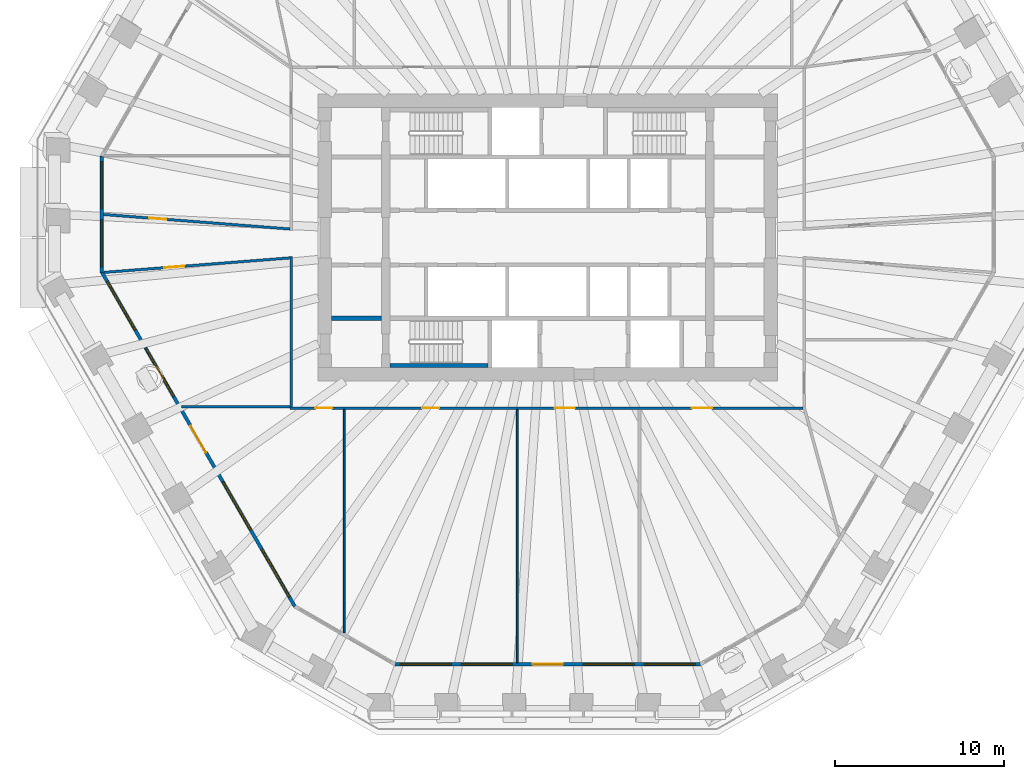
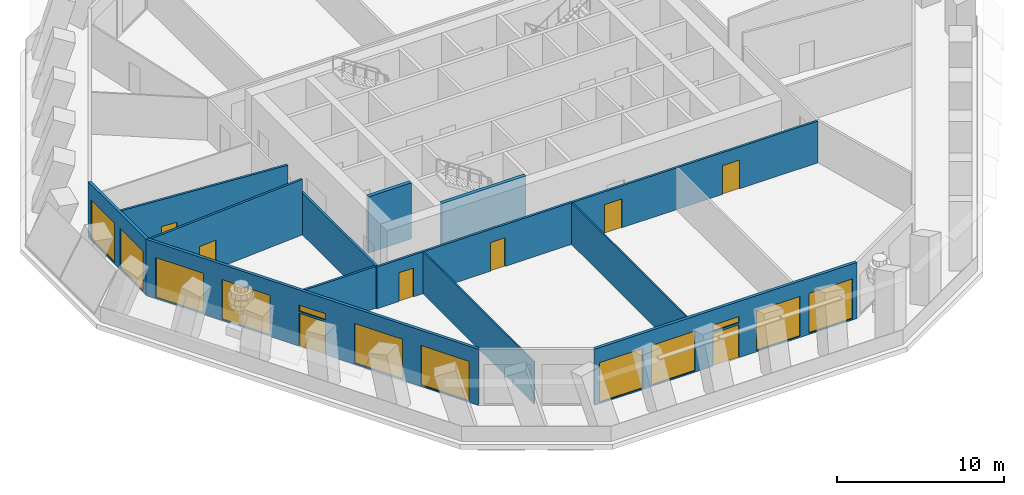
# One storey, part 3 of 12: 12 walls, 12 windows, 8 doors, 20 openings.
"""IFC4 building model written with IfcOpenShell, lengths in metres."""

from ifc_helpers import new_model, si_unit, direction, frame, frame_2d, origin, place, context, subcontext, project, spatial, polyline, rectangle, outline, extrude, material, layer, layer_set, type_object, element, fill, save


model = new_model("IFC4")

# Units and contexts
model_context = context("Model", 3, precision=1e-05, world=origin(), true_north=direction((0.0, 1.0)))
body_context = subcontext(model_context, "Body", "Model", "MODEL_VIEW")
ifc_project = project(units=[si_unit("LENGTHUNIT", "METRE"), si_unit("AREAUNIT", "SQUARE_METRE"), si_unit("VOLUMEUNIT", "CUBIC_METRE"), si_unit("PLANEANGLEUNIT", "RADIAN"), si_unit("MASSUNIT", "GRAM", prefix="KILO")], contexts=[model_context])

# Site, building, storey
site_placement = place(None, origin())
site = spatial("IfcSite", under=ifc_project, at=site_placement, CompositionType="ELEMENT")
building_placement = place(site_placement, origin())
building = spatial("IfcBuilding", under=site, at=building_placement, Name="Frailejon Research Tower", CompositionType="ELEMENT")
storey_placement = place(building_placement, frame((0.0, 0.0, 135.199951171875)))
storey = spatial("IfcBuildingStorey", under=building, at=storey_placement, Name="L29", CompositionType="ELEMENT", Elevation=135.199951171875)

# Wall, opening, door
ifc_material_1 = material(Name="Gypsum board and masonry partition", Category="masonry")
ifc_layer_1 = layer(ifc_material_1, 0.14990234375)
ifc_layer_set_1 = layer_set([ifc_layer_1], Name="Corridor wall EI 60, gypsum on steel studs 150")
wall_type_1 = type_object("IfcWallType", Name="Corridor wall EI 60, gypsum on steel studs 150", PredefinedType="PARTITIONING", material=ifc_layer_set_1)
wall_1_placement = place(storey_placement, frame((-26.31103515625, 1.3671875, 0.0), z_axis=(0.0, 0.0, 1.0), x_axis=(0.996973369859, -0.077743808706, 0.0)))
wall_1 = element("IfcWall", 1, at=wall_1_placement, inside=storey, type_object=wall_type_1, Name="T:IW:L29:001", PredefinedType="PARTITIONING", context=body_context, shape_type="SweptSolid", body=[
    extrude(rectangle(XDim=11.069580078125, YDim=0.14990234375, at=frame_2d((5.53466796875, 0.0))), origin(), (0.0, 0.0, 1.0), 4.050048828125),
])
opening_1_placement = place(wall_1_placement, frame((2.711181640625, 0.0, 0.0)))
opening_1 = element("IfcOpeningElement", 2, at=opening_1_placement, cuts=wall_1, Name="Opening D1687", PredefinedType="OPENING", context=body_context, shape_type="SweptSolid", body=[
    extrude(rectangle(XDim=1.0, YDim=2.10009765625, at=frame_2d((0.5, 1.050048828125))), frame((0.0, 0.0849609375, 0.0), z_axis=(0.0, -1.0, 0.0), x_axis=(1.0, 0.0, 0.0)), (0.0, 0.0, 1.0), 0.169921875),
])
ifc_material_2 = material(Name="Timber door leaf", Category="wood")
door_type_1 = type_object("IfcDoorType", Name="Door single leaf, timber, steel frame 1000", OperationType="NOTDEFINED", PredefinedType="DOOR", material=ifc_material_2)
door_1_placement = place(opening_1_placement, origin())
door_1 = element("IfcDoor", 3, at=door_1_placement, inside=storey, type_object=door_type_1, Name="D1687", OperationType="SINGLE_SWING_LEFT", OverallHeight=2.10009765625, OverallWidth=1.0, PredefinedType="DOOR", context=body_context, shape_type="SweptSolid", body=[
    extrude(rectangle(XDim=1.0, YDim=2.10009765625, at=frame_2d((0.5, 1.050048828125))), frame((0.0, 0.02490234375, 0.0), z_axis=(0.0, -1.0, 0.0), x_axis=(1.0, 0.0, 0.0)), (0.0, 0.0, 1.0), 0.050048828125),
])
fill(opening_1, door_1)

wall_2_placement = place(storey_placement, frame((-26.290283203125, -2.064208984375, 0.0), z_axis=(0.0, 0.0, 1.0), x_axis=(0.99697229372, 0.077757607695, 0.0)))
wall_2 = element("IfcWall", 4, at=wall_2_placement, inside=storey, type_object=wall_type_1, Name="T:IW:L29:002", PredefinedType="PARTITIONING", context=body_context, shape_type="SweptSolid", body=[
    extrude(rectangle(XDim=11.048828125, YDim=0.14990234375, at=frame_2d((5.5244140625, 0.0))), origin(), (0.0, 0.0, 1.0), 4.050048828125),
])
opening_2_placement = place(wall_2_placement, frame((3.578369140625, 0.0, 0.0)))
opening_2 = element("IfcOpeningElement", 5, at=opening_2_placement, cuts=wall_2, Name="Opening D1688", PredefinedType="OPENING", context=body_context, shape_type="SweptSolid", body=[
    extrude(rectangle(XDim=1.199951171875, YDim=2.10009765625, at=frame_2d((0.60009765625, 1.050048828125))), frame((0.0, 0.0849609375, 0.0), z_axis=(0.0, -1.0, 0.0), x_axis=(1.0, 0.0, 0.0)), (0.0, 0.0, 1.0), 0.169921875),
])
ifc_material_3 = material(Name="Timber door leaf", Category="wood")
door_type_2 = type_object("IfcDoorType", Name="Door laboratory, timber, vision panel 1200", OperationType="NOTDEFINED", PredefinedType="DOOR", material=ifc_material_3)
door_2_placement = place(opening_2_placement, origin())
door_2 = element("IfcDoor", 6, at=door_2_placement, inside=storey, type_object=door_type_2, Name="D1688", OperationType="DOUBLE_DOOR_SINGLE_SWING", OverallHeight=2.10009765625, OverallWidth=1.199951171875, PredefinedType="DOOR", context=body_context, shape_type="SweptSolid", body=[
    extrude(rectangle(XDim=1.199951171875, YDim=2.10009765625, at=frame_2d((0.60009765625, 1.050048828125))), frame((0.0, 0.02490234375, 0.0), z_axis=(0.0, -1.0, 0.0), x_axis=(1.0, 0.0, 0.0)), (0.0, 0.0, 1.0), 0.050048828125),
])
fill(opening_2, door_2)

# Wall
wall_3_placement = place(storey_placement, frame((-15.199951171875, -10.02490234375, 0.0), z_axis=(0.0, 0.0, 1.0), x_axis=(0.0, 1.0, 0.0)))
element("IfcWall", 7, at=wall_3_placement, inside=storey, type_object=wall_type_1, Name="T:IW:L29:006", PredefinedType="PARTITIONING", context=body_context, shape_type="SweptSolid", body=[
    extrude(rectangle(XDim=8.900634765625, YDim=0.14990234375, at=frame_2d((4.4501953125, 0.0))), origin(), (0.0, 0.0, 1.0), 3.050048828125),
])

# Wall, openings, doors
wall_4_placement = place(storey_placement, frame((-15.27490234375, -10.10009765625, 0.0), z_axis=(0.0, 0.0, 1.0), x_axis=(1.0, 0.0, 0.0)))
wall_4 = element("IfcWall", 8, at=wall_4_placement, inside=storey, type_object=wall_type_1, Name="T:IW:L29:008", PredefinedType="PARTITIONING", context=body_context, shape_type="SweptSolid", body=[
    extrude(rectangle(XDim=30.39990234375, YDim=0.14990234375, at=frame_2d((15.199951171875, 0.0))), origin(), (0.0, 0.0, 1.0), 3.050048828125),
])
opening_3_placement = place(wall_4_placement, frame((1.50634765625, 0.0, 0.0)))
opening_3 = element("IfcOpeningElement", 9, at=opening_3_placement, cuts=wall_4, Name="Opening D1689", PredefinedType="OPENING", context=body_context, shape_type="SweptSolid", body=[
    extrude(rectangle(XDim=1.0, YDim=2.10009765625, at=frame_2d((0.5, 1.050048828125))), frame((0.0, 0.0849609375, 0.0), z_axis=(0.0, -1.0, 0.0), x_axis=(1.0, 0.0, 0.0)), (0.0, 0.0, 1.0), 0.169921875),
])
opening_4_placement = place(wall_4_placement, frame((7.840087890625, 0.0, 0.0)))
opening_4 = element("IfcOpeningElement", 10, at=opening_4_placement, cuts=wall_4, Name="Opening D1690", PredefinedType="OPENING", context=body_context, shape_type="SweptSolid", body=[
    extrude(rectangle(XDim=1.0, YDim=2.10009765625, at=frame_2d((0.5, 1.050048828125))), frame((0.0, 0.0849609375, 0.0), z_axis=(0.0, -1.0, 0.0), x_axis=(1.0, 0.0, 0.0)), (0.0, 0.0, 1.0), 0.169921875),
])
opening_5_placement = place(wall_4_placement, frame((15.6845703125, 0.0, 0.0)))
opening_5 = element("IfcOpeningElement", 11, at=opening_5_placement, cuts=wall_4, Name="Opening D1691", PredefinedType="OPENING", context=body_context, shape_type="SweptSolid", body=[
    extrude(rectangle(XDim=1.199951171875, YDim=2.10009765625, at=frame_2d((0.60009765625, 1.050048828125))), frame((0.0, 0.0849609375, 0.0), z_axis=(0.0, -1.0, 0.0), x_axis=(1.0, 0.0, 0.0)), (0.0, 0.0, 1.0), 0.169921875),
])
opening_6_placement = place(wall_4_placement, frame((23.8125, 0.0, 0.0)))
opening_6 = element("IfcOpeningElement", 12, at=opening_6_placement, cuts=wall_4, Name="Opening D1692", PredefinedType="OPENING", context=body_context, shape_type="SweptSolid", body=[
    extrude(rectangle(XDim=1.199951171875, YDim=2.10009765625, at=frame_2d((0.60009765625, 1.050048828125))), frame((0.0, 0.0849609375, 0.0), z_axis=(0.0, -1.0, 0.0), x_axis=(1.0, 0.0, 0.0)), (0.0, 0.0, 1.0), 0.169921875),
])
door_3_placement = place(opening_6_placement, origin())
door_3 = element("IfcDoor", 13, at=door_3_placement, inside=storey, type_object=door_type_2, Name="D1692", OperationType="DOUBLE_DOOR_SINGLE_SWING", OverallHeight=2.10009765625, OverallWidth=1.199951171875, PredefinedType="DOOR", context=body_context, shape_type="SweptSolid", body=[
    extrude(rectangle(XDim=1.199951171875, YDim=2.10009765625, at=frame_2d((0.60009765625, 1.050048828125))), frame((0.0, 0.02490234375, 0.0), z_axis=(0.0, -1.0, 0.0), x_axis=(1.0, 0.0, 0.0)), (0.0, 0.0, 1.0), 0.050048828125),
])
fill(opening_6, door_3)
door_4_placement = place(opening_3_placement, origin())
door_4 = element("IfcDoor", 14, at=door_4_placement, inside=storey, type_object=door_type_1, Name="D1689", OperationType="SINGLE_SWING_RIGHT", OverallHeight=2.10009765625, OverallWidth=1.0, PredefinedType="DOOR", context=body_context, shape_type="SweptSolid", body=[
    extrude(rectangle(XDim=1.0, YDim=2.10009765625, at=frame_2d((0.5, 1.050048828125))), frame((0.0, 0.02490234375, 0.0), z_axis=(0.0, -1.0, 0.0), x_axis=(1.0, 0.0, 0.0)), (0.0, 0.0, 1.0), 0.050048828125),
])
fill(opening_3, door_4)
door_5_placement = place(opening_4_placement, origin())
door_5 = element("IfcDoor", 15, at=door_5_placement, inside=storey, type_object=door_type_1, Name="D1690", OperationType="SINGLE_SWING_LEFT", OverallHeight=2.10009765625, OverallWidth=1.0, PredefinedType="DOOR", context=body_context, shape_type="SweptSolid", body=[
    extrude(rectangle(XDim=1.0, YDim=2.10009765625, at=frame_2d((0.5, 1.050048828125))), frame((0.0, 0.02490234375, 0.0), z_axis=(0.0, -1.0, 0.0), x_axis=(1.0, 0.0, 0.0)), (0.0, 0.0, 1.0), 0.050048828125),
])
fill(opening_4, door_5)
ifc_material_4 = material(Name="Timber door leaf", Category="wood")
door_type_3 = type_object("IfcDoorType", Name="Door single leaf, timber, steel frame 1200", OperationType="NOTDEFINED", PredefinedType="DOOR", material=ifc_material_4)
door_6_placement = place(opening_5_placement, origin())
door_6 = element("IfcDoor", 16, at=door_6_placement, inside=storey, type_object=door_type_3, Name="D1691", OperationType="DOUBLE_DOOR_SINGLE_SWING", OverallHeight=2.10009765625, OverallWidth=1.199951171875, PredefinedType="DOOR", context=body_context, shape_type="SweptSolid", body=[
    extrude(rectangle(XDim=1.199951171875, YDim=2.10009765625, at=frame_2d((0.60009765625, 1.050048828125))), frame((0.0, 0.02490234375, 0.0), z_axis=(0.0, -1.0, 0.0), x_axis=(1.0, 0.0, 0.0)), (0.0, 0.0, 1.0), 0.050048828125),
])
fill(opening_5, door_6)

# Walls
ifc_material_5 = material(Name="Gypsum board and masonry partition", Category="masonry")
ifc_layer_2 = layer(ifc_material_5, 0.14990234375)
ifc_layer_set_2 = layer_set([ifc_layer_2], Name="Laboratory partition, blockwork 150")
wall_type_2 = type_object("IfcWallType", Name="Laboratory partition, blockwork 150", PredefinedType="PARTITIONING", material=ifc_layer_set_2)
wall_5_placement = place(storey_placement, frame((-21.698974609375, -10.016357421875, 0.0), z_axis=(0.0, 0.0, 1.0), x_axis=(1.0, 0.0, 0.0)))
element("IfcWall", 17, at=wall_5_placement, inside=storey, type_object=wall_type_2, Name="T:IW:L29:015", PredefinedType="PARTITIONING", context=body_context, shape_type="SweptSolid", body=[
    extrude(rectangle(XDim=6.424072265625, YDim=0.14990234375, at=frame_2d((3.2119140625, 0.0))), origin(), (0.0, 0.0, 1.0), 3.050048828125),
])
ifc_material_6 = material(Name="Gypsum board and masonry partition", Category="masonry")
ifc_layer_3 = layer(ifc_material_6, 0.10009765625)
ifc_layer_set_3 = layer_set([ifc_layer_3], Name="Partition, gypsum on steel studs 100")
wall_type_3 = type_object("IfcWallType", Name="Partition, gypsum on steel studs 100", PredefinedType="PARTITIONING", material=ifc_layer_set_3)
wall_6_placement = place(storey_placement, frame((-12.05810546875, -23.419921875, 0.0), z_axis=(0.0, 0.0, 1.0), x_axis=(0.0, 1.0, 0.0)))
element("IfcWall", 18, at=wall_6_placement, inside=storey, type_object=wall_type_3, Name="T:IW:L29:023", PredefinedType="PARTITIONING", context=body_context, shape_type="SweptSolid", body=[
    extrude(rectangle(XDim=13.244873046875, YDim=0.10009765625, at=frame_2d((6.62255859375, 0.0))), origin(), (0.0, 0.0, 1.0), 3.050048828125),
])
wall_7_placement = place(storey_placement, frame((-1.8115234375, -25.182861328125, 0.0), z_axis=(0.0, 0.0, 1.0), x_axis=(0.0, 1.0, 0.0)))
element("IfcWall", 19, at=wall_7_placement, inside=storey, type_object=wall_type_3, Name="T:IW:L29:024", PredefinedType="PARTITIONING", context=body_context, shape_type="SweptSolid", body=[
    extrude(rectangle(XDim=15.0078125, YDim=0.10009765625, at=frame_2d((7.50390625, 0.0))), origin(), (0.0, 0.0, 1.0), 3.050048828125),
])
ifc_material_7 = material(Name="Concrete C60/75", Category="concrete")
ifc_layer_4 = layer(ifc_material_7, 0.25)
ifc_layer_set_4 = layer_set([ifc_layer_4], Name="Shaft wall 250 C60/75")
wall_type_4 = type_object("IfcWallType", Name="Shaft wall 250 C60/75", PredefinedType="SOLIDWALL", material=ifc_layer_set_4)
wall_8_placement = place(storey_placement, frame((-12.800048828125, -4.77490234375, 0.0), z_axis=(0.0, 0.0, 1.0), x_axis=(1.0, 0.0, 0.0)))
element("IfcWall", 20, at=wall_8_placement, inside=storey, type_object=wall_type_4, Name="Shaft wall", PredefinedType="SOLIDWALL", context=body_context, shape_type="SweptSolid", body=[
    extrude(rectangle(XDim=2.949951171875, YDim=0.25, at=frame_2d((1.47509765625, 0.0))), origin(), (0.0, 0.0, 1.0), 4.10009765625),
])
wall_9_placement = place(storey_placement, frame((-9.35009765625, -7.574951171875, 0.0), z_axis=(0.0, 0.0, 1.0), x_axis=(1.0, 0.0, 0.0)))
element("IfcWall", 21, at=wall_9_placement, inside=storey, type_object=wall_type_4, Name="Shaft wall", PredefinedType="SOLIDWALL", context=body_context, shape_type="SweptSolid", body=[
    extrude(rectangle(XDim=5.800048828125, YDim=0.25, at=frame_2d((2.89990234375, 0.0))), origin(), (0.0, 0.0, 1.0), 4.10009765625),
])

# Wall, openings, windows
ifc_material_8 = material(Name="Concrete C40/50 precast window wall panel", Category="concrete")
ifc_layer_5 = layer(ifc_material_8, 0.199951171875)
ifc_layer_set_5 = layer_set([ifc_layer_5], Name="Window wall 200")
wall_type_5 = type_object("IfcWallType", Name="Window wall 200", PredefinedType="SOLIDWALL", material=ifc_layer_set_5)
wall_10_placement = place(storey_placement, frame((-26.4111328125, 4.820068359375, 0.0), z_axis=(0.0, 0.0, 1.0), x_axis=(0.0, -1.0, 0.0)))
wall_10 = element("IfcWall", 22, at=wall_10_placement, inside=storey, type_object=wall_type_5, Name="Exterior wall L29", PredefinedType="SOLIDWALL", context=body_context, shape_type="SweptSolid", body=[
    extrude(outline(polyline([(-0.02685546875, -0.10009765625), (1.1279296875, -0.10009765625), (2.28271484375, -0.10009765625), (3.4375, -0.10009765625), (4.592041015625, -0.10009765625), (5.746826171875, -0.10009765625), (6.901611328125, -0.10009765625), (6.847900390625, 0.10009765625), (5.7109375, 0.10009765625), (4.57421875, 0.10009765625), (3.4375, 0.10009765625), (2.300537109375, 0.10009765625), (1.16357421875, 0.10009765625), (0.02685546875, 0.10009765625), (-0.02685546875, -0.10009765625)])), origin(), (0.0, 0.0, 1.0), 4.10009765625),
])
opening_7_placement = place(wall_10_placement, frame((0.318603515625, 0.0, 0.10009765625)))
opening_7 = element("IfcOpeningElement", 23, at=opening_7_placement, cuts=wall_10, Name="Opening W3", PredefinedType="OPENING", context=body_context, shape_type="SweptSolid", body=[
    extrude(rectangle(XDim=2.800048828125, YDim=2.89990234375, at=frame_2d((1.39990234375, 1.449951171875))), frame((0.0, 0.10986328125, 0.0), z_axis=(0.0, -1.0, 0.0), x_axis=(1.0, 0.0, 0.0)), (0.0, 0.0, 1.0), 0.219970703125),
])
opening_8_placement = place(wall_10_placement, frame((3.756103515625, 0.0, 0.10009765625)))
opening_8 = element("IfcOpeningElement", 24, at=opening_8_placement, cuts=wall_10, Name="Opening W3", PredefinedType="OPENING", context=body_context, shape_type="SweptSolid", body=[
    extrude(rectangle(XDim=2.800048828125, YDim=2.89990234375, at=frame_2d((1.39990234375, 1.449951171875))), frame((0.0, 0.10986328125, 0.0), z_axis=(0.0, -1.0, 0.0), x_axis=(1.0, 0.0, 0.0)), (0.0, 0.0, 1.0), 0.219970703125),
])
ifc_material_9 = material(Name="Aluminium framed double glazing", Category="aluminium")
window_type_1 = type_object("IfcWindowType", Name="Window 2800x2900", PartitioningType="SINGLE_PANEL", PredefinedType="WINDOW", material=ifc_material_9)
window_1_placement = place(opening_7_placement, origin())
window_1 = element("IfcWindow", 25, at=window_1_placement, inside=storey, type_object=window_type_1, Name="Window L29", OverallHeight=2.89990234375, OverallWidth=2.800048828125, PartitioningType="SINGLE_PANEL", PredefinedType="WINDOW", context=body_context, shape_type="SweptSolid", body=[
    extrude(rectangle(XDim=2.800048828125, YDim=2.89990234375, at=frame_2d((1.39990234375, 1.449951171875))), frame((0.0, 0.030029296875, 0.0), z_axis=(0.0, -1.0, 0.0), x_axis=(1.0, 0.0, 0.0)), (0.0, 0.0, 1.0), 0.06005859375),
])
fill(opening_7, window_1)
window_2_placement = place(opening_8_placement, origin())
window_2 = element("IfcWindow", 26, at=window_2_placement, inside=storey, type_object=window_type_1, Name="Window L29", OverallHeight=2.89990234375, OverallWidth=2.800048828125, PartitioningType="SINGLE_PANEL", PredefinedType="WINDOW", context=body_context, shape_type="SweptSolid", body=[
    extrude(rectangle(XDim=2.800048828125, YDim=2.89990234375, at=frame_2d((1.39990234375, 1.449951171875))), frame((0.0, 0.030029296875, 0.0), z_axis=(0.0, -1.0, 0.0), x_axis=(1.0, 0.0, 0.0)), (0.0, 0.0, 1.0), 0.06005859375),
])
fill(opening_8, window_2)

# Wall, openings, door, windows
wall_11_placement = place(storey_placement, frame((-26.4111328125, -2.0546875, 0.0), z_axis=(0.0, 0.0, 1.0), x_axis=(0.50000204422, -0.86602422355, 0.0)))
wall_11 = element("IfcWall", 27, at=wall_11_placement, inside=storey, type_object=wall_type_5, Name="Exterior wall L29", PredefinedType="SOLIDWALL", context=body_context, shape_type="SweptSolid", body=[
    extrude(outline(polyline([(-0.02685546875, -0.10009765625), (1.014404296875, -0.10009765625), (2.055419921875, -0.10009765625), (3.0966796875, -0.10009765625), (4.137939453125, -0.10009765625), (5.17919921875, -0.10009765625), (6.22021484375, -0.10009765625), (7.261474609375, -0.10009765625), (8.302734375, -0.10009765625), (9.343994140625, -0.10009765625), (10.385009765625, -0.10009765625), (11.42626953125, -0.10009765625), (12.467529296875, -0.10009765625), (13.508544921875, -0.10009765625), (14.5498046875, -0.10009765625), (15.591064453125, -0.10009765625), (16.63232421875, -0.10009765625), (17.67333984375, -0.10009765625), (18.714599609375, -0.10009765625), (19.755859375, -0.10009765625), (20.797119140625, -0.10009765625), (21.838134765625, -0.10009765625), (22.87939453125, -0.10009765625), (22.82568359375, 0.10009765625), (21.789306640625, 0.10009765625), (20.753173828125, 0.10009765625), (19.716796875, 0.10009765625), (18.680419921875, 0.10009765625), (17.64404296875, 0.10009765625), (16.60791015625, 0.10009765625), (15.571533203125, 0.10009765625), (14.53515625, 0.10009765625), (13.498779296875, 0.10009765625), (12.462646484375, 0.10009765625), (11.42626953125, 0.10009765625), (10.389892578125, 0.10009765625), (9.353759765625, 0.10009765625), (8.3173828125, 0.10009765625), (7.281005859375, 0.10009765625), (6.24462890625, 0.10009765625), (5.20849609375, 0.10009765625), (4.172119140625, 0.10009765625), (3.1357421875, 0.10009765625), (2.099365234375, 0.10009765625), (1.063232421875, 0.10009765625), (0.02685546875, 0.10009765625), (-0.02685546875, -0.10009765625)])), origin(), (0.0, 0.0, 1.0), 4.10009765625),
])
opening_9_placement = place(wall_11_placement, frame((0.63525390625, 0.0, 0.10009765625)))
opening_9 = element("IfcOpeningElement", 28, at=opening_9_placement, cuts=wall_11, Name="Opening W5", PredefinedType="OPENING", context=body_context, shape_type="SweptSolid", body=[
    extrude(rectangle(XDim=3.300048828125, YDim=2.89990234375, at=frame_2d((1.64990234375, 1.449951171875))), frame((0.0, 0.10986328125, 0.0), z_axis=(0.0, -1.0, 0.0), x_axis=(1.0, 0.0, 0.0)), (0.0, 0.0, 1.0), 0.219970703125),
])
opening_10_placement = place(wall_11_placement, frame((5.205810546875, 0.0, 0.10009765625)))
opening_10 = element("IfcOpeningElement", 29, at=opening_10_placement, cuts=wall_11, Name="Opening W5", PredefinedType="OPENING", context=body_context, shape_type="SweptSolid", body=[
    extrude(rectangle(XDim=3.300048828125, YDim=2.89990234375, at=frame_2d((1.64990234375, 1.449951171875))), frame((0.0, 0.10986328125, 0.0), z_axis=(0.0, -1.0, 0.0), x_axis=(1.0, 0.0, 0.0)), (0.0, 0.0, 1.0), 0.219970703125),
])
opening_11_placement = place(wall_11_placement, frame((10.5263671875, 0.0, 0.0)))
opening_11 = element("IfcOpeningElement", 30, at=opening_11_placement, cuts=wall_11, Name="Opening LG29-4", PredefinedType="OPENING", context=body_context, shape_type="SweptSolid", body=[
    extrude(rectangle(XDim=1.800048828125, YDim=2.39990234375, at=frame_2d((0.89990234375, 1.199951171875))), frame((0.0, 0.10986328125, 0.0), z_axis=(0.0, -1.0, 0.0), x_axis=(1.0, 0.0, 0.0)), (0.0, 0.0, 1.0), 0.219970703125),
])
opening_12_placement = place(wall_11_placement, frame((10.5263671875, 0.0, 2.550048828125)))
opening_12 = element("IfcOpeningElement", 31, at=opening_12_placement, cuts=wall_11, Name="Opening W1", PredefinedType="OPENING", context=body_context, shape_type="SweptSolid", body=[
    extrude(rectangle(XDim=1.800048828125, YDim=0.449951171875, at=frame_2d((0.89990234375, 0.22509765625))), frame((0.0, 0.10986328125, 0.0), z_axis=(0.0, -1.0, 0.0), x_axis=(1.0, 0.0, 0.0)), (0.0, 0.0, 1.0), 0.219970703125),
])
opening_13_placement = place(wall_11_placement, frame((14.3466796875, 0.0, 0.10009765625)))
opening_13 = element("IfcOpeningElement", 32, at=opening_13_placement, cuts=wall_11, Name="Opening W5", PredefinedType="OPENING", context=body_context, shape_type="SweptSolid", body=[
    extrude(rectangle(XDim=3.300048828125, YDim=2.89990234375, at=frame_2d((1.64990234375, 1.449951171875))), frame((0.0, 0.10986328125, 0.0), z_axis=(0.0, -1.0, 0.0), x_axis=(1.0, 0.0, 0.0)), (0.0, 0.0, 1.0), 0.219970703125),
])
opening_14_placement = place(wall_11_placement, frame((18.917236328125, 0.0, 0.10009765625)))
opening_14 = element("IfcOpeningElement", 33, at=opening_14_placement, cuts=wall_11, Name="Opening W5", PredefinedType="OPENING", context=body_context, shape_type="SweptSolid", body=[
    extrude(rectangle(XDim=3.300048828125, YDim=2.89990234375, at=frame_2d((1.64990234375, 1.449951171875))), frame((0.0, 0.10986328125, 0.0), z_axis=(0.0, -1.0, 0.0), x_axis=(1.0, 0.0, 0.0)), (0.0, 0.0, 1.0), 0.219970703125),
])
ifc_material_10 = material(Name="Aluminium framed glazed door leaf", Category="aluminium")
door_type_4 = type_object("IfcDoorType", Name="Loggia door 1800x2400", OperationType="DOUBLE_DOOR_SINGLE_SWING", PredefinedType="DOOR", material=ifc_material_10)
door_7_placement = place(opening_11_placement, origin())
door_7 = element("IfcDoor", 34, at=door_7_placement, inside=storey, type_object=door_type_4, Name="Door LG29-4", OperationType="DOUBLE_DOOR_SINGLE_SWING", OverallHeight=2.39990234375, OverallWidth=1.800048828125, PredefinedType="DOOR", context=body_context, shape_type="SweptSolid", body=[
    extrude(rectangle(XDim=1.800048828125, YDim=2.39990234375, at=frame_2d((0.89990234375, 1.199951171875))), frame((0.0, 0.02490234375, 0.0), z_axis=(0.0, -1.0, 0.0), x_axis=(1.0, 0.0, 0.0)), (0.0, 0.0, 1.0), 0.050048828125),
])
fill(opening_11, door_7)
ifc_material_11 = material(Name="Aluminium framed double glazing", Category="aluminium")
window_type_2 = type_object("IfcWindowType", Name="Window 1800x450", PartitioningType="SINGLE_PANEL", PredefinedType="WINDOW", material=ifc_material_11)
window_3_placement = place(opening_12_placement, origin())
window_3 = element("IfcWindow", 35, at=window_3_placement, inside=storey, type_object=window_type_2, Name="Window L29", OverallHeight=0.449951171875, OverallWidth=1.800048828125, PartitioningType="SINGLE_PANEL", PredefinedType="WINDOW", context=body_context, shape_type="SweptSolid", body=[
    extrude(rectangle(XDim=1.800048828125, YDim=0.449951171875, at=frame_2d((0.89990234375, 0.22509765625))), frame((0.0, 0.030029296875, 0.0), z_axis=(0.0, -1.0, 0.0), x_axis=(1.0, 0.0, 0.0)), (0.0, 0.0, 1.0), 0.06005859375),
])
fill(opening_12, window_3)
ifc_material_12 = material(Name="Aluminium framed double glazing", Category="aluminium")
window_type_3 = type_object("IfcWindowType", Name="Window 3300x2900", PartitioningType="SINGLE_PANEL", PredefinedType="WINDOW", material=ifc_material_12)
window_4_placement = place(opening_9_placement, origin())
window_4 = element("IfcWindow", 36, at=window_4_placement, inside=storey, type_object=window_type_3, Name="Window L29", OverallHeight=2.89990234375, OverallWidth=3.300048828125, PartitioningType="SINGLE_PANEL", PredefinedType="WINDOW", context=body_context, shape_type="SweptSolid", body=[
    extrude(rectangle(XDim=3.300048828125, YDim=2.89990234375, at=frame_2d((1.64990234375, 1.449951171875))), frame((0.0, 0.030029296875, 0.0), z_axis=(0.0, -1.0, 0.0), x_axis=(1.0, 0.0, 0.0)), (0.0, 0.0, 1.0), 0.06005859375),
])
fill(opening_9, window_4)
window_5_placement = place(opening_10_placement, origin())
window_5 = element("IfcWindow", 37, at=window_5_placement, inside=storey, type_object=window_type_3, Name="Window L29", OverallHeight=2.89990234375, OverallWidth=3.300048828125, PartitioningType="SINGLE_PANEL", PredefinedType="WINDOW", context=body_context, shape_type="SweptSolid", body=[
    extrude(rectangle(XDim=3.300048828125, YDim=2.89990234375, at=frame_2d((1.64990234375, 1.449951171875))), frame((0.0, 0.030029296875, 0.0), z_axis=(0.0, -1.0, 0.0), x_axis=(1.0, 0.0, 0.0)), (0.0, 0.0, 1.0), 0.06005859375),
])
fill(opening_10, window_5)
window_6_placement = place(opening_13_placement, origin())
window_6 = element("IfcWindow", 38, at=window_6_placement, inside=storey, type_object=window_type_3, Name="Window L29", OverallHeight=2.89990234375, OverallWidth=3.300048828125, PartitioningType="SINGLE_PANEL", PredefinedType="WINDOW", context=body_context, shape_type="SweptSolid", body=[
    extrude(rectangle(XDim=3.300048828125, YDim=2.89990234375, at=frame_2d((1.64990234375, 1.449951171875))), frame((0.0, 0.030029296875, 0.0), z_axis=(0.0, -1.0, 0.0), x_axis=(1.0, 0.0, 0.0)), (0.0, 0.0, 1.0), 0.06005859375),
])
fill(opening_13, window_6)
window_7_placement = place(opening_14_placement, origin())
window_7 = element("IfcWindow", 39, at=window_7_placement, inside=storey, type_object=window_type_3, Name="Window L29", OverallHeight=2.89990234375, OverallWidth=3.300048828125, PartitioningType="SINGLE_PANEL", PredefinedType="WINDOW", context=body_context, shape_type="SweptSolid", body=[
    extrude(rectangle(XDim=3.300048828125, YDim=2.89990234375, at=frame_2d((1.64990234375, 1.449951171875))), frame((0.0, 0.030029296875, 0.0), z_axis=(0.0, -1.0, 0.0), x_axis=(1.0, 0.0, 0.0)), (0.0, 0.0, 1.0), 0.06005859375),
])
fill(opening_14, window_7)

wall_12_placement = place(storey_placement, frame((-9.03125, -25.28271484375, 0.0), z_axis=(0.0, 0.0, 1.0), x_axis=(1.0, 0.0, 0.0)))
wall_12 = element("IfcWall", 40, at=wall_12_placement, inside=storey, type_object=wall_type_5, Name="Exterior wall L29", PredefinedType="SOLIDWALL", context=body_context, shape_type="SweptSolid", body=[
    extrude(outline(polyline([(-0.02685546875, -0.10009765625), (0.9794921875, -0.10009765625), (1.986083984375, -0.10009765625), (2.992431640625, -0.10009765625), (3.9990234375, -0.10009765625), (5.00537109375, -0.10009765625), (6.011962890625, -0.10009765625), (7.018310546875, -0.10009765625), (8.02490234375, -0.10009765625), (9.03125, -0.10009765625), (10.03759765625, -0.10009765625), (11.044189453125, -0.10009765625), (12.050537109375, -0.10009765625), (13.05712890625, -0.10009765625), (14.0634765625, -0.10009765625), (15.070068359375, -0.10009765625), (16.076416015625, -0.10009765625), (17.0830078125, -0.10009765625), (18.08935546875, -0.10009765625), (18.03564453125, 0.10009765625), (17.03515625, 0.10009765625), (16.03466796875, 0.10009765625), (15.0341796875, 0.10009765625), (14.03369140625, 0.10009765625), (13.033203125, 0.10009765625), (12.03271484375, 0.10009765625), (11.0322265625, 0.10009765625), (10.03173828125, 0.10009765625), (9.03125, 0.10009765625), (8.03076171875, 0.10009765625), (7.0302734375, 0.10009765625), (6.02978515625, 0.10009765625), (5.029296875, 0.10009765625), (4.02880859375, 0.10009765625), (3.0283203125, 0.10009765625), (2.02783203125, 0.10009765625), (1.02734375, 0.10009765625), (0.02685546875, 0.10009765625), (-0.02685546875, -0.10009765625)])), origin(), (0.0, 0.0, 1.0), 4.10009765625),
])
opening_15_placement = place(wall_12_placement, frame((0.306396484375, 0.0, 0.10009765625)))
opening_15 = element("IfcOpeningElement", 41, at=opening_15_placement, cuts=wall_12, Name="Opening W4", PredefinedType="OPENING", context=body_context, shape_type="SweptSolid", body=[
    extrude(rectangle(XDim=3.0, YDim=2.89990234375, at=frame_2d((1.5, 1.449951171875))), frame((0.0, 0.10986328125, 0.0), z_axis=(0.0, -1.0, 0.0), x_axis=(1.0, 0.0, 0.0)), (0.0, 0.0, 1.0), 0.219970703125),
])
opening_16_placement = place(wall_12_placement, frame((3.918701171875, 0.0, 0.10009765625)))
opening_16 = element("IfcOpeningElement", 42, at=opening_16_placement, cuts=wall_12, Name="Opening W4", PredefinedType="OPENING", context=body_context, shape_type="SweptSolid", body=[
    extrude(rectangle(XDim=3.0, YDim=2.89990234375, at=frame_2d((1.5, 1.449951171875))), frame((0.0, 0.10986328125, 0.0), z_axis=(0.0, -1.0, 0.0), x_axis=(1.0, 0.0, 0.0)), (0.0, 0.0, 1.0), 0.219970703125),
])
opening_17_placement = place(wall_12_placement, frame((8.13134765625, 0.0, 0.0)))
opening_17 = element("IfcOpeningElement", 43, at=opening_17_placement, cuts=wall_12, Name="Opening LG29-5", PredefinedType="OPENING", context=body_context, shape_type="SweptSolid", body=[
    extrude(rectangle(XDim=1.800048828125, YDim=2.39990234375, at=frame_2d((0.89990234375, 1.199951171875))), frame((0.0, 0.10986328125, 0.0), z_axis=(0.0, -1.0, 0.0), x_axis=(1.0, 0.0, 0.0)), (0.0, 0.0, 1.0), 0.219970703125),
])
opening_18_placement = place(wall_12_placement, frame((8.13134765625, 0.0, 2.550048828125)))
opening_18 = element("IfcOpeningElement", 44, at=opening_18_placement, cuts=wall_12, Name="Opening W1", PredefinedType="OPENING", context=body_context, shape_type="SweptSolid", body=[
    extrude(rectangle(XDim=1.800048828125, YDim=0.449951171875, at=frame_2d((0.89990234375, 0.22509765625))), frame((0.0, 0.10986328125, 0.0), z_axis=(0.0, -1.0, 0.0), x_axis=(1.0, 0.0, 0.0)), (0.0, 0.0, 1.0), 0.219970703125),
])
opening_19_placement = place(wall_12_placement, frame((11.143798828125, 0.0, 0.10009765625)))
opening_19 = element("IfcOpeningElement", 45, at=opening_19_placement, cuts=wall_12, Name="Opening W4", PredefinedType="OPENING", context=body_context, shape_type="SweptSolid", body=[
    extrude(rectangle(XDim=3.0, YDim=2.89990234375, at=frame_2d((1.5, 1.449951171875))), frame((0.0, 0.10986328125, 0.0), z_axis=(0.0, -1.0, 0.0), x_axis=(1.0, 0.0, 0.0)), (0.0, 0.0, 1.0), 0.219970703125),
])
opening_20_placement = place(wall_12_placement, frame((14.75634765625, 0.0, 0.10009765625)))
opening_20 = element("IfcOpeningElement", 46, at=opening_20_placement, cuts=wall_12, Name="Opening W4", PredefinedType="OPENING", context=body_context, shape_type="SweptSolid", body=[
    extrude(rectangle(XDim=3.0, YDim=2.89990234375, at=frame_2d((1.5, 1.449951171875))), frame((0.0, 0.10986328125, 0.0), z_axis=(0.0, -1.0, 0.0), x_axis=(1.0, 0.0, 0.0)), (0.0, 0.0, 1.0), 0.219970703125),
])
door_8_placement = place(opening_17_placement, origin())
door_8 = element("IfcDoor", 47, at=door_8_placement, inside=storey, type_object=door_type_4, Name="Door LG29-5", OperationType="DOUBLE_DOOR_SINGLE_SWING", OverallHeight=2.39990234375, OverallWidth=1.800048828125, PredefinedType="DOOR", context=body_context, shape_type="SweptSolid", body=[
    extrude(rectangle(XDim=1.800048828125, YDim=2.39990234375, at=frame_2d((0.89990234375, 1.199951171875))), frame((0.0, 0.02490234375, 0.0), z_axis=(0.0, -1.0, 0.0), x_axis=(1.0, 0.0, 0.0)), (0.0, 0.0, 1.0), 0.050048828125),
])
fill(opening_17, door_8)
window_8_placement = place(opening_18_placement, origin())
window_8 = element("IfcWindow", 48, at=window_8_placement, inside=storey, type_object=window_type_2, Name="Window L29", OverallHeight=0.449951171875, OverallWidth=1.800048828125, PartitioningType="SINGLE_PANEL", PredefinedType="WINDOW", context=body_context, shape_type="SweptSolid", body=[
    extrude(rectangle(XDim=1.800048828125, YDim=0.449951171875, at=frame_2d((0.89990234375, 0.22509765625))), frame((0.0, 0.030029296875, 0.0), z_axis=(0.0, -1.0, 0.0), x_axis=(1.0, 0.0, 0.0)), (0.0, 0.0, 1.0), 0.06005859375),
])
fill(opening_18, window_8)
ifc_material_13 = material(Name="Aluminium framed double glazing", Category="aluminium")
window_type_4 = type_object("IfcWindowType", Name="Window 3000x2900", PartitioningType="SINGLE_PANEL", PredefinedType="WINDOW", material=ifc_material_13)
window_9_placement = place(opening_15_placement, origin())
window_9 = element("IfcWindow", 49, at=window_9_placement, inside=storey, type_object=window_type_4, Name="Window L29", OverallHeight=2.89990234375, OverallWidth=3.0, PartitioningType="SINGLE_PANEL", PredefinedType="WINDOW", context=body_context, shape_type="SweptSolid", body=[
    extrude(rectangle(XDim=3.0, YDim=2.89990234375, at=frame_2d((1.5, 1.449951171875))), frame((0.0, 0.030029296875, 0.0), z_axis=(0.0, -1.0, 0.0), x_axis=(1.0, 0.0, 0.0)), (0.0, 0.0, 1.0), 0.06005859375),
])
fill(opening_15, window_9)
window_10_placement = place(opening_16_placement, origin())
window_10 = element("IfcWindow", 50, at=window_10_placement, inside=storey, type_object=window_type_4, Name="Window L29", OverallHeight=2.89990234375, OverallWidth=3.0, PartitioningType="SINGLE_PANEL", PredefinedType="WINDOW", context=body_context, shape_type="SweptSolid", body=[
    extrude(rectangle(XDim=3.0, YDim=2.89990234375, at=frame_2d((1.5, 1.449951171875))), frame((0.0, 0.030029296875, 0.0), z_axis=(0.0, -1.0, 0.0), x_axis=(1.0, 0.0, 0.0)), (0.0, 0.0, 1.0), 0.06005859375),
])
fill(opening_16, window_10)
window_11_placement = place(opening_19_placement, origin())
window_11 = element("IfcWindow", 51, at=window_11_placement, inside=storey, type_object=window_type_4, Name="Window L29", OverallHeight=2.89990234375, OverallWidth=3.0, PartitioningType="SINGLE_PANEL", PredefinedType="WINDOW", context=body_context, shape_type="SweptSolid", body=[
    extrude(rectangle(XDim=3.0, YDim=2.89990234375, at=frame_2d((1.5, 1.449951171875))), frame((0.0, 0.030029296875, 0.0), z_axis=(0.0, -1.0, 0.0), x_axis=(1.0, 0.0, 0.0)), (0.0, 0.0, 1.0), 0.06005859375),
])
fill(opening_19, window_11)
window_12_placement = place(opening_20_placement, origin())
window_12 = element("IfcWindow", 52, at=window_12_placement, inside=storey, type_object=window_type_4, Name="Window L29", OverallHeight=2.89990234375, OverallWidth=3.0, PartitioningType="SINGLE_PANEL", PredefinedType="WINDOW", context=body_context, shape_type="SweptSolid", body=[
    extrude(rectangle(XDim=3.0, YDim=2.89990234375, at=frame_2d((1.5, 1.449951171875))), frame((0.0, 0.030029296875, 0.0), z_axis=(0.0, -1.0, 0.0), x_axis=(1.0, 0.0, 0.0)), (0.0, 0.0, 1.0), 0.06005859375),
])
fill(opening_20, window_12)

save(model, "model.ifc")
